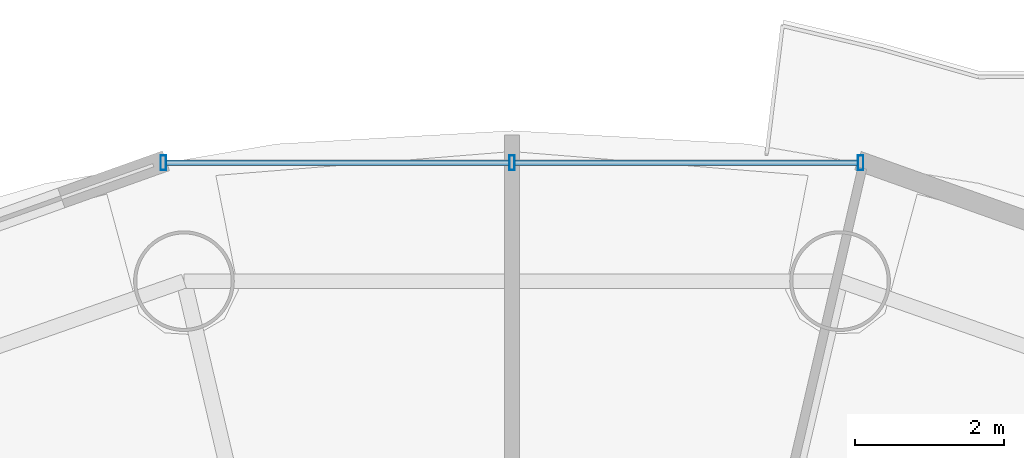
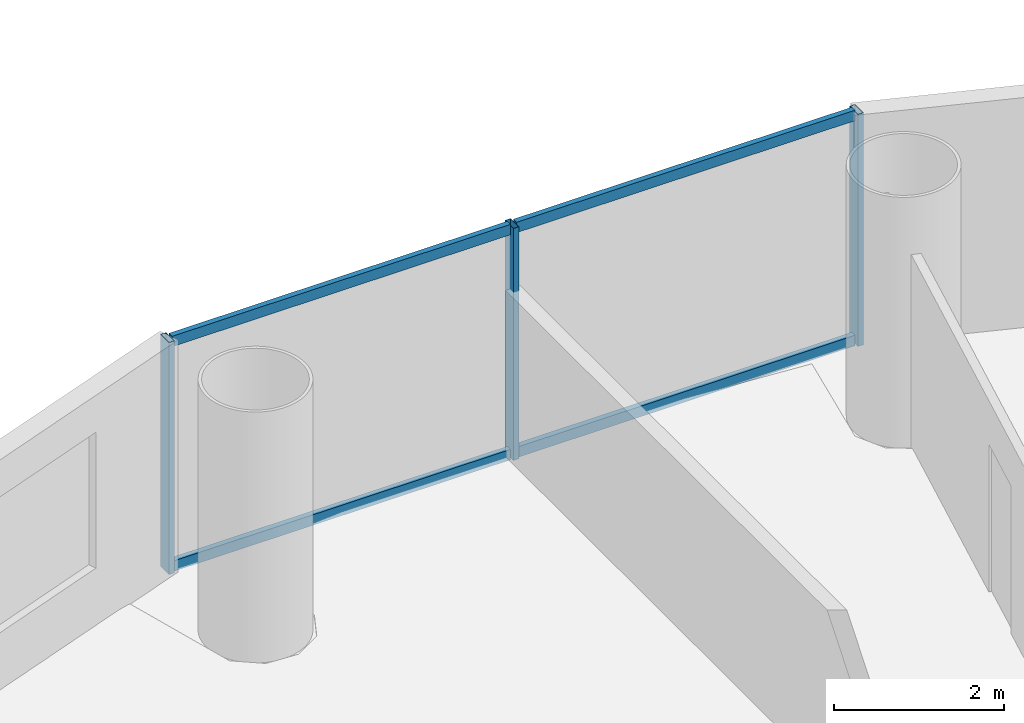
# One storey, part 16 of 26: 7 members, 1 element without a shape of its own.
"""IFC4 building model written with IfcOpenShell, lengths in metres."""

from ifc_helpers import new_model, si_unit, direction, frame, origin, origin_2d, place, context, subcontext, project, spatial, hollow_rectangle, extrude, source, transform, mapped, material, material_profile, profile_set, type_object, element, aggregate, save


model = new_model("IFC4")

# Units and contexts
model_context = context("Model", 3, precision=1e-05, world=origin(), true_north=direction((-0.2419218956, 0.970295726276)))
body_context = subcontext(model_context, "Body", "Model", "MODEL_VIEW")
ifc_project = project(units=[si_unit("LENGTHUNIT", "METRE"), si_unit("AREAUNIT", "SQUARE_METRE"), si_unit("VOLUMEUNIT", "CUBIC_METRE"), si_unit("PLANEANGLEUNIT", "RADIAN"), si_unit("MASSUNIT", "GRAM", prefix="KILO")], contexts=[model_context])

# Site, building, storey
site_placement = place(None, origin())
site = spatial("IfcSite", under=ifc_project, at=site_placement, CompositionType="ELEMENT")
building_placement = place(site_placement, origin())
building = spatial("IfcBuilding", under=site, at=building_placement, Name="Cobrevalo Terracotta Tower", CompositionType="ELEMENT")
storey_placement = place(building_placement, frame((0.0, 0.0, 135.39990234375)))
storey = spatial("IfcBuildingStorey", under=building, at=storey_placement, Name="L35", CompositionType="ELEMENT", Elevation=135.39990234375)

# Curtain wall, members
ifc_material = material(Name="Anodized aluminium", Category="aluminium")
curtain_wall_type = type_object("IfcCurtainWallType", Name="Mid-tower high-wind unitised curtain wall CW-U2", PredefinedType="NOTDEFINED", material=ifc_material)
curtain_wall_placement = place(storey_placement, origin())
curtain_wall = element("IfcCurtainWall", 1, at=curtain_wall_placement, inside=storey, type_object=curtain_wall_type, Name="L35 curtain wall CW-L35-S04", PredefinedType="NOTDEFINED")
ifc_material_profile_1 = material_profile(ifc_material, hollow_rectangle(XDim=0.074951171875, YDim=0.199951171875, WallThickness=0.0048828125, at=origin_2d()), Name="CWM 75x200")
ifc_profile_set_1 = profile_set([ifc_material_profile_1], Name="Anodized aluminium")
member_type_1 = type_object("IfcMemberType", Name="Lower/mid tower unitised mullion 75x200", PredefinedType="MULLION", material=ifc_profile_set_1)
shared_shape_1 = source(origin(), body_context, "Body", "SweptSolid", [
    extrude(hollow_rectangle(XDim=0.074951171875, YDim=0.199951171875, WallThickness=0.0048828125, at=origin_2d()), origin(), (0.0, 0.0, 1.0), 3.330078125),
])
member_1_placement = place(storey_placement, frame((42.67529296875, 47.1708984375, 0.0), z_axis=(0.0, 0.0, 1.0), x_axis=(-1.0, 0.0, 0.0)))
member_1 = element("IfcMember", 2, at=member_1_placement, type_object=member_type_1, Name="CW-L35-S04 vertical mullion 01", PredefinedType="MULLION", context=body_context, shape_type="MappedRepresentation", body=[
    mapped(shared_shape_1, transform((0.0, 0.0, 0.0), scale=1.0)),
])
member_2_placement = place(storey_placement, frame((38.0, 47.1708984375, 0.0), z_axis=(0.0, 0.0, 1.0), x_axis=(-1.0, 0.0, 0.0)))
member_2 = element("IfcMember", 3, at=member_2_placement, type_object=member_type_1, Name="CW-L35-S04 vertical mullion 02", PredefinedType="MULLION", context=body_context, shape_type="MappedRepresentation", body=[
    mapped(shared_shape_1, transform((0.0, 0.0, 0.0), scale=1.0)),
])
member_3_placement = place(storey_placement, frame((33.32470703125, 47.1708984375, 0.0), z_axis=(0.0, 0.0, 1.0), x_axis=(-1.0, 0.0, 0.0)))
member_3 = element("IfcMember", 4, at=member_3_placement, type_object=member_type_1, Name="CW-L35-S04 vertical mullion 03", PredefinedType="MULLION", context=body_context, shape_type="MappedRepresentation", body=[
    mapped(shared_shape_1, transform((0.0, 0.0, 0.0), scale=1.0)),
])
ifc_material_profile_2 = material_profile(ifc_material, hollow_rectangle(XDim=0.074951171875, YDim=0.14990234375, WallThickness=0.00439453125, at=origin_2d()), Name="CWT 75x150")
ifc_profile_set_2 = profile_set([ifc_material_profile_2], Name="Anodized aluminium")
member_type_2 = type_object("IfcMemberType", Name="Tower unitised aluminium transom 75x150", PredefinedType="USERDEFINED", material=ifc_profile_set_2)
shared_shape_2 = source(origin(), body_context, "Body", "SweptSolid", [
    extrude(hollow_rectangle(XDim=0.074951171875, YDim=0.14990234375, WallThickness=0.00439453125, at=origin_2d()), origin(), (0.0, 0.0, 1.0), 4.59521484375),
])
member_4_placement = place(storey_placement, frame((42.63525390625, 47.1708984375, 0.050048828125), z_axis=(-1.0, 0.0, 0.0), x_axis=(0.0, -1.0, 0.0)))
member_4 = element("IfcMember", 5, at=member_4_placement, type_object=member_type_2, Name="CW-L35-S04 transom B01-T1", ObjectType="TRANSOM", PredefinedType="USERDEFINED", context=body_context, shape_type="MappedRepresentation", body=[
    mapped(shared_shape_2, transform((0.0, 0.0, 0.0), scale=1.0)),
])
member_5_placement = place(storey_placement, frame((42.63525390625, 47.1708984375, 3.280029296875), z_axis=(-1.0, 0.0, 0.0), x_axis=(0.0, -1.0, 0.0)))
member_5 = element("IfcMember", 6, at=member_5_placement, type_object=member_type_2, Name="CW-L35-S04 transom B01-T2", ObjectType="TRANSOM", PredefinedType="USERDEFINED", context=body_context, shape_type="MappedRepresentation", body=[
    mapped(shared_shape_2, transform((0.0, 0.0, 0.0), scale=1.0)),
])
member_6_placement = place(storey_placement, frame((37.9599609375, 47.1708984375, 0.050048828125), z_axis=(-1.0, 0.0, 0.0), x_axis=(0.0, -1.0, 0.0)))
member_6 = element("IfcMember", 7, at=member_6_placement, type_object=member_type_2, Name="CW-L35-S04 transom B02-T1", ObjectType="TRANSOM", PredefinedType="USERDEFINED", context=body_context, shape_type="MappedRepresentation", body=[
    mapped(shared_shape_2, transform((0.0, 0.0, 0.0), scale=1.0)),
])
member_7_placement = place(storey_placement, frame((37.9599609375, 47.1708984375, 3.280029296875), z_axis=(-1.0, 0.0, 0.0), x_axis=(0.0, -1.0, 0.0)))
member_7 = element("IfcMember", 8, at=member_7_placement, type_object=member_type_2, Name="CW-L35-S04 transom B02-T2", ObjectType="TRANSOM", PredefinedType="USERDEFINED", context=body_context, shape_type="MappedRepresentation", body=[
    mapped(shared_shape_2, transform((0.0, 0.0, 0.0), scale=1.0)),
])
aggregate(curtain_wall, [member_1, member_2, member_3, member_4, member_5, member_6, member_7])

save(model, "model.ifc")
